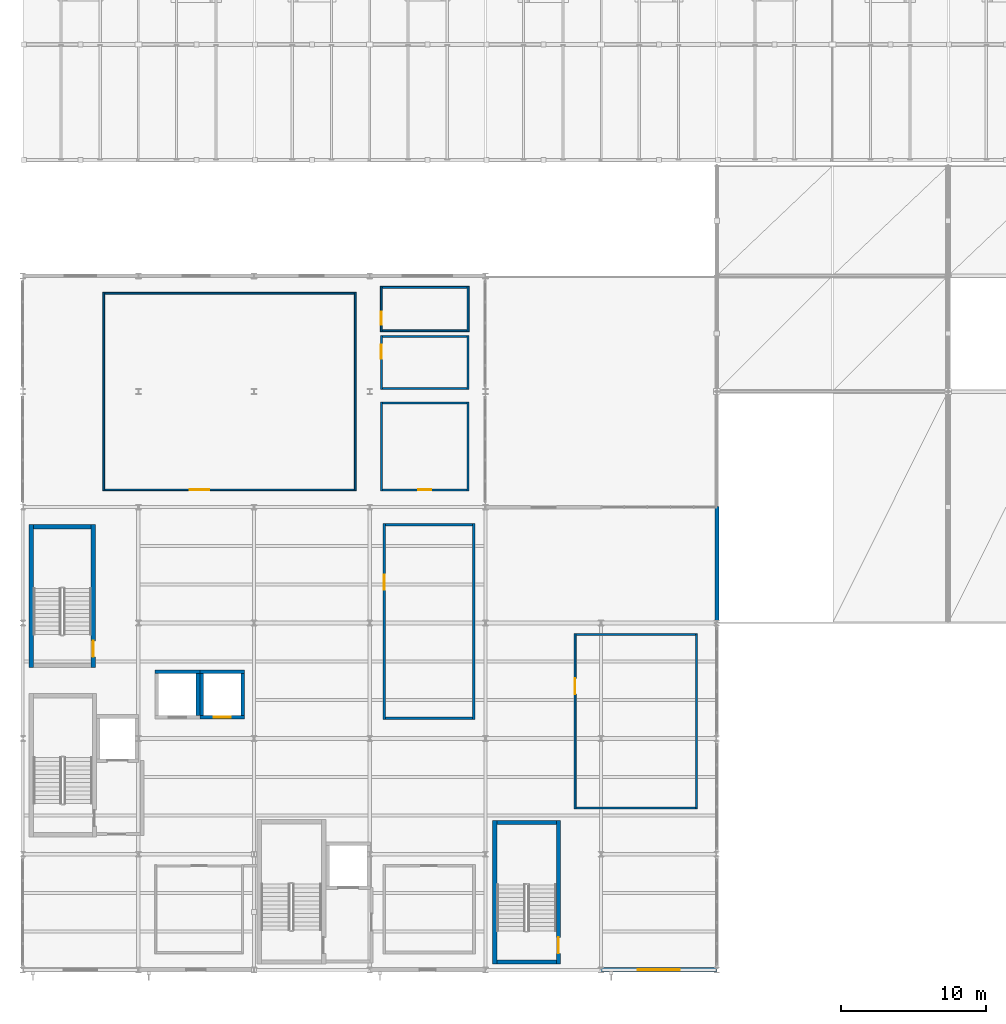
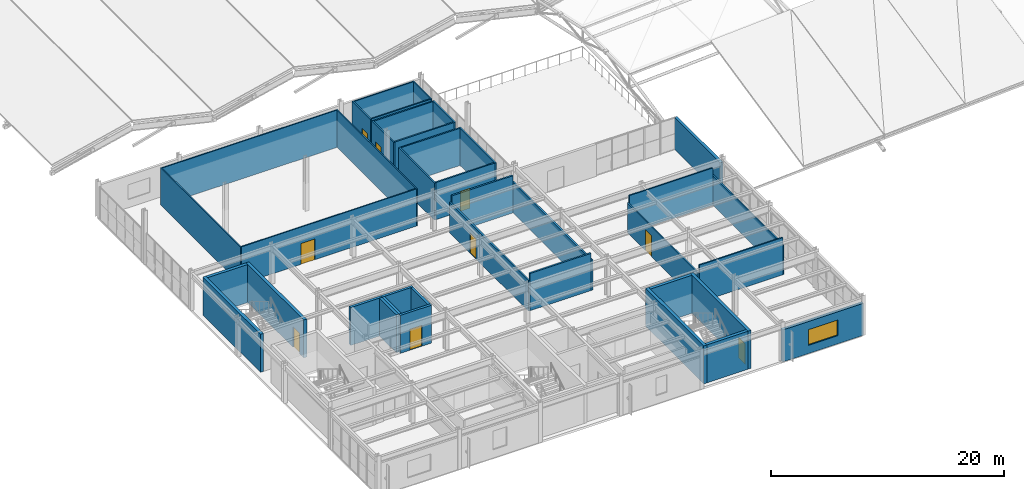
# One storey, part 45 of 67: 39 walls, 9 doors, 1 window, 10 openings.
"""IFC4 building model written with IfcOpenShell, lengths in metres."""

from ifc_helpers import new_model, si_unit, direction, frame, frame_2d, origin, place, context, subcontext, project, spatial, rectangle, extrude, material, layer, layer_set, type_object, element, fill, save


model = new_model("IFC4")

# Units and contexts
model_context = context("Model", 3, precision=1e-05, world=origin(), true_north=direction((0.0, 1.0)))
body_context = subcontext(model_context, "Body", "Model", "MODEL_VIEW")
ifc_project = project(units=[si_unit("LENGTHUNIT", "METRE"), si_unit("AREAUNIT", "SQUARE_METRE"), si_unit("VOLUMEUNIT", "CUBIC_METRE"), si_unit("PLANEANGLEUNIT", "RADIAN"), si_unit("MASSUNIT", "GRAM", prefix="KILO")], contexts=[model_context])

# Site, building, storey
site_placement = place(None, origin())
site = spatial("IfcSite", under=ifc_project, at=site_placement, CompositionType="ELEMENT")
building_placement = place(site_placement, origin())
building = spatial("IfcBuilding", under=site, at=building_placement, Name="Drelvath Fold Interchange", CompositionType="ELEMENT")
storey_placement = place(building_placement, frame((0.0, 0.0, 15.60009765625)))
storey = spatial("IfcBuildingStorey", under=building, at=storey_placement, Name="L03", CompositionType="ELEMENT", Elevation=15.60009765625)

# Wall, opening, door
ifc_material_1 = material(Name="Concrete f'c 45 MPa (6500 psi)", Category="concrete")
ifc_layer_1 = layer(ifc_material_1, 0.300048828125, Name="Concrete f'c 45 MPa (6500 psi)")
ifc_layer_set_1 = layer_set([ifc_layer_1], Name="Concrete f'c 45 MPa (6500 psi)")
wall_type_1 = type_object("IfcWallType", Name="WL-CR300", PredefinedType="SHEAR", material=ifc_layer_set_1)
wall_1_placement = place(storey_placement, frame((8.8798828125, 23.89990234375, 0.0), z_axis=(0.0, 0.0, 1.0), x_axis=(0.0, 1.0, 0.0)))
wall_1 = element("IfcWall", 1, at=wall_1_placement, inside=storey, type_object=wall_type_1, Name="ST-02 L03 east core wall", PredefinedType="SHEAR", context=body_context, shape_type="SweptSolid", body=[
    extrude(rectangle(XDim=9.900146484375, YDim=0.300048828125, at=frame_2d((4.9501953125, 0.0))), origin(), (0.0, 0.0, 1.0), 3.974853515625),
])
opening_1_placement = place(wall_1_placement, frame((0.75, 0.0, 0.0)))
opening_1 = element("IfcOpeningElement", 2, at=opening_1_placement, cuts=wall_1, Name="Opening D-L03-014", PredefinedType="OPENING", context=body_context, shape_type="SweptSolid", body=[
    extrude(rectangle(XDim=1.10009765625, YDim=2.14990234375, at=frame_2d((0.550048828125, 1.074951171875))), frame((0.0, 0.159912109375, 0.0), z_axis=(0.0, -1.0, 0.0), x_axis=(1.0, 0.0, 0.0)), (0.0, 0.0, 1.0), 0.320068359375),
])
ifc_material_2 = material(Name="Insulated Hollow Metal Door Assembly")
door_type_1 = type_object("IfcDoorType", Name="DR-ST1100", OperationType="NOTDEFINED", PredefinedType="DOOR", material=ifc_material_2)
door_1_placement = place(opening_1_placement, origin())
door_1 = element("IfcDoor", 3, at=door_1_placement, inside=storey, type_object=door_type_1, Name="ST-02 L03 stair fire door D-L03-014", OperationType="SINGLE_SWING_RIGHT", OverallHeight=2.14990234375, OverallWidth=1.10009765625, PredefinedType="DOOR", context=body_context, shape_type="SweptSolid", body=[
    extrude(rectangle(XDim=1.10009765625, YDim=2.14990234375, at=frame_2d((0.550048828125, 1.074951171875))), frame((0.0, 0.02490234375, 0.0), z_axis=(0.0, -1.0, 0.0), x_axis=(1.0, 0.0, 0.0)), (0.0, 0.0, 1.0), 0.050048828125),
])
fill(opening_1, door_1)

# Walls
wall_2_placement = place(storey_placement, frame((8.72998046875, 33.64990234375, 0.0), z_axis=(0.0, 0.0, 1.0), x_axis=(-1.0, 0.0, 0.0)))
element("IfcWall", 4, at=wall_2_placement, inside=storey, type_object=wall_type_1, Name="ST-02 L03 north core wall", PredefinedType="SHEAR", context=body_context, shape_type="SweptSolid", body=[
    extrude(rectangle(XDim=3.97998046875, YDim=0.300048828125, at=frame_2d((1.989990234375, 0.0))), origin(), (0.0, 0.0, 1.0), 3.974853515625),
])
wall_3_placement = place(storey_placement, frame((4.60009765625, 33.800048828125, 0.0), z_axis=(0.0, 0.0, 1.0), x_axis=(0.0, -1.0, 0.0)))
element("IfcWall", 5, at=wall_3_placement, inside=storey, type_object=wall_type_1, Name="ST-02 L03 west core wall", PredefinedType="SHEAR", context=body_context, shape_type="SweptSolid", body=[
    extrude(rectangle(XDim=9.900146484375, YDim=0.300048828125, at=frame_2d((4.9501953125, 0.0))), origin(), (0.0, 0.0, 1.0), 3.974853515625),
])
wall_4_placement = place(storey_placement, frame((36.800048828125, 3.550048828125, 0.0), z_axis=(0.0, 0.0, 1.0), x_axis=(1.0, 0.0, 0.0)))
element("IfcWall", 6, at=wall_4_placement, inside=storey, type_object=wall_type_1, Name="ST-04 L03 south core wall", PredefinedType="SHEAR", context=body_context, shape_type="SweptSolid", body=[
    extrude(rectangle(XDim=4.099853515625, YDim=0.300048828125, at=frame_2d((2.0498046875, 0.0))), origin(), (0.0, 0.0, 1.0), 3.974853515625),
])

# Wall, opening, door
wall_5_placement = place(storey_placement, frame((41.050048828125, 3.39990234375, 0.0), z_axis=(0.0, 0.0, 1.0), x_axis=(0.0, 1.0, 0.0)))
wall_5 = element("IfcWall", 7, at=wall_5_placement, inside=storey, type_object=wall_type_1, Name="ST-04 L03 east core wall", PredefinedType="SHEAR", context=body_context, shape_type="SweptSolid", body=[
    extrude(rectangle(XDim=9.9501953125, YDim=0.300048828125, at=frame_2d((4.97509765625, 0.0))), origin(), (0.0, 0.0, 1.0), 3.974853515625),
])
opening_2_placement = place(wall_5_placement, frame((0.75, 0.0, 0.0)))
opening_2 = element("IfcOpeningElement", 8, at=opening_2_placement, cuts=wall_5, Name="Opening D-L03-030", PredefinedType="OPENING", context=body_context, shape_type="SweptSolid", body=[
    extrude(rectangle(XDim=1.10009765625, YDim=2.14990234375, at=frame_2d((0.550048828125, 1.074951171875))), frame((0.0, 0.159912109375, 0.0), z_axis=(0.0, -1.0, 0.0), x_axis=(1.0, 0.0, 0.0)), (0.0, 0.0, 1.0), 0.320068359375),
])
door_2_placement = place(opening_2_placement, origin())
door_2 = element("IfcDoor", 9, at=door_2_placement, inside=storey, type_object=door_type_1, Name="ST-04 L03 stair fire door D-L03-030", OperationType="SINGLE_SWING_RIGHT", OverallHeight=2.14990234375, OverallWidth=1.10009765625, PredefinedType="DOOR", context=body_context, shape_type="SweptSolid", body=[
    extrude(rectangle(XDim=1.10009765625, YDim=2.14990234375, at=frame_2d((0.550048828125, 1.074951171875))), frame((0.0, 0.02490234375, 0.0), z_axis=(0.0, -1.0, 0.0), x_axis=(1.0, 0.0, 0.0)), (0.0, 0.0, 1.0), 0.050048828125),
])
fill(opening_2, door_2)

# Walls
wall_6_placement = place(storey_placement, frame((40.89990234375, 13.199951171875, 0.0), z_axis=(0.0, 0.0, 1.0), x_axis=(-1.0, 0.0, 0.0)))
element("IfcWall", 10, at=wall_6_placement, inside=storey, type_object=wall_type_1, Name="ST-04 L03 north core wall", PredefinedType="SHEAR", context=body_context, shape_type="SweptSolid", body=[
    extrude(rectangle(XDim=4.099853515625, YDim=0.300048828125, at=frame_2d((2.0498046875, 0.0))), origin(), (0.0, 0.0, 1.0), 3.974853515625),
])
wall_7_placement = place(storey_placement, frame((36.64990234375, 13.35009765625, 0.0), z_axis=(0.0, 0.0, 1.0), x_axis=(0.0, -1.0, 0.0)))
element("IfcWall", 11, at=wall_7_placement, inside=storey, type_object=wall_type_1, Name="ST-04 L03 west core wall", PredefinedType="SHEAR", context=body_context, shape_type="SweptSolid", body=[
    extrude(rectangle(XDim=9.9501953125, YDim=0.300048828125, at=frame_2d((4.97509765625, 0.0))), origin(), (0.0, 0.0, 1.0), 3.974853515625),
])
ifc_material_3 = material(Name="Perforated Anodized Aluminium Rainscreen", Category="aluminium")
ifc_layer_2 = layer(ifc_material_3, 0.27490234375, Name="Perforated Anodized Aluminium Rainscreen")
ifc_layer_set_2 = layer_set([ifc_layer_2], Name="Perforated Anodized Aluminium Rainscreen")
wall_type_2 = type_object("IfcWallType", Name="WL-EXT275", PredefinedType="SOLIDWALL", material=ifc_layer_set_2)
wall_8_placement = place(storey_placement, frame((52.0, 27.181884765625, 0.0), z_axis=(0.0, 0.0, 1.0), x_axis=(0.0, 1.0, 0.0)))
element("IfcWall", 12, at=wall_8_placement, inside=storey, type_object=wall_type_2, Name="L03 exterior facade wall 72", PredefinedType="SOLIDWALL", context=body_context, shape_type="SweptSolid", body=[
    extrude(rectangle(XDim=7.863037109375, YDim=0.27490234375, at=frame_2d((3.931640625, 0.0))), origin(), (0.0, 0.0, 1.0), 3.349853515625),
])

# Wall, opening, window
ifc_material_4 = material(Name="Precast concrete f'c 40 MPa (6000 psi)", Category="concrete")
ifc_layer_3 = layer(ifc_material_4, 0.31494140625, Name="Precast concrete f'c 40 MPa (6000 psi)")
ifc_layer_set_3 = layer_set([ifc_layer_3], Name="Precast concrete f'c 40 MPa (6000 psi)")
wall_type_3 = type_object("IfcWallType", Name="WL-EXT315", PredefinedType="SOLIDWALL", material=ifc_layer_set_3)
wall_9_placement = place(storey_placement, frame((44.010009765625, 3.0, 0.0), z_axis=(0.0, 0.0, 1.0), x_axis=(1.0, 0.0, 0.0)))
wall_9 = element("IfcWall", 13, at=wall_9_placement, inside=storey, type_object=wall_type_3, Name="L03 exterior facade wall 71", PredefinedType="SOLIDWALL", context=body_context, shape_type="SweptSolid", body=[
    extrude(rectangle(XDim=7.97998046875, YDim=0.31494140625, at=frame_2d((3.989990234375, 0.0))), origin(), (0.0, 0.0, 1.0), 3.349853515625),
])
opening_3_placement = place(wall_9_placement, frame((2.5400390625, 0.0, 0.85009765625)))
opening_3 = element("IfcOpeningElement", 14, at=opening_3_placement, cuts=wall_9, Name="Opening W-L03-065", PredefinedType="OPENING", context=body_context, shape_type="SweptSolid", body=[
    extrude(rectangle(XDim=2.89990234375, YDim=1.64990234375, at=frame_2d((1.449951171875, 0.824951171875))), frame((0.0, 0.16748046875, 0.0), z_axis=(0.0, -1.0, 0.0), x_axis=(1.0, 0.0, 0.0)), (0.0, 0.0, 1.0), 0.3349609375),
])
ifc_material_5 = material(Name="Low-Iron Insulated Laminated Glass", Category="glass")
window_type = type_object("IfcWindowType", Name="WN-290x165", PartitioningType="TRIPLE_PANEL_VERTICAL", PredefinedType="WINDOW", material=ifc_material_5)
window_placement = place(opening_3_placement, origin())
window = element("IfcWindow", 15, at=window_placement, inside=storey, type_object=window_type, Name="Facade window W-L03-065", OverallHeight=1.64990234375, OverallWidth=2.89990234375, PartitioningType="SINGLE_PANEL", PredefinedType="WINDOW", context=body_context, shape_type="SweptSolid", body=[
    extrude(rectangle(XDim=2.89990234375, YDim=1.64990234375, at=frame_2d((1.449951171875, 0.824951171875))), frame((0.0, 0.030029296875, 0.0), z_axis=(0.0, -1.0, 0.0), x_axis=(1.0, 0.0, 0.0)), (0.0, 0.0, 1.0), 0.06005859375),
])
fill(opening_3, window)

# Wall, opening, door
ifc_material_6 = material(Name="Acoustic Gypsum Board Partition Assembly")
ifc_layer_4 = layer(ifc_material_6, 0.114990234375, Name="Acoustic Gypsum Board Partition Assembly")
ifc_layer_set_4 = layer_set([ifc_layer_4], Name="Acoustic Gypsum Board Partition Assembly")
wall_type_4 = type_object("IfcWallType", Name="WL-PT115", PredefinedType="PARTITIONING", material=ifc_layer_set_4)
wall_10_placement = place(storey_placement, frame((9.656982421875, 36.199951171875, 0.0), z_axis=(0.0, 0.0, 1.0), x_axis=(1.0, 0.0, 0.0)))
wall_10 = element("IfcWall", 16, at=wall_10_placement, inside=storey, type_object=wall_type_4, Name="Transit Planning Studio North S partition", PredefinedType="PARTITIONING", context=body_context, shape_type="SweptSolid", body=[
    extrude(rectangle(XDim=17.284912109375, YDim=0.114990234375, at=frame_2d((8.642578125, 0.0))), origin(), (0.0, 0.0, 1.0), 3.89990234375),
])
opening_4_placement = place(wall_10_placement, frame((5.887939453125, 0.0, 0.0)))
opening_4 = element("IfcOpeningElement", 17, at=opening_4_placement, cuts=wall_10, Name="Opening D-L03-128", PredefinedType="OPENING", context=body_context, shape_type="SweptSolid", body=[
    extrude(rectangle(XDim=1.360107421875, YDim=2.179931640625, at=frame_2d((0.68017578125, 1.08984375))), frame((0.0, 0.0673828125, 0.0), z_axis=(0.0, -1.0, 0.0), x_axis=(1.0, 0.0, 0.0)), (0.0, 0.0, 1.0), 0.135009765625),
])
ifc_material_7 = material(Name="Anodized Aluminium Glazed Door Assembly", Category="aluminium")
door_type_2 = type_object("IfcDoorType", Name="DR-NR136", OperationType="DOUBLE_DOOR_SINGLE_SWING", PredefinedType="DOOR", material=ifc_material_7)
door_3_placement = place(opening_4_placement, origin())
door_3 = element("IfcDoor", 18, at=door_3_placement, inside=storey, type_object=door_type_2, Name="Transit Planning Studio North door D-L03-128", OperationType="DOUBLE_DOOR_SINGLE_SWING", OverallHeight=2.179931640625, OverallWidth=1.360107421875, PredefinedType="DOOR", context=body_context, shape_type="SweptSolid", body=[
    extrude(rectangle(XDim=1.360107421875, YDim=2.179931640625, at=frame_2d((0.68017578125, 1.08984375))), frame((0.0, 0.02490234375, 0.0), z_axis=(0.0, -1.0, 0.0), x_axis=(1.0, 0.0, 0.0)), (0.0, 0.0, 1.0), 0.050048828125),
])
fill(opening_4, door_3)

# Walls
wall_11_placement = place(storey_placement, frame((27.0, 36.14306640625, 0.0), z_axis=(0.0, 0.0, 1.0), x_axis=(0.0, 1.0, 0.0)))
element("IfcWall", 19, at=wall_11_placement, inside=storey, type_object=wall_type_4, Name="Transit Planning Studio North E partition", PredefinedType="PARTITIONING", context=body_context, shape_type="SweptSolid", body=[
    extrude(rectangle(XDim=13.7138671875, YDim=0.114990234375, at=frame_2d((6.85693359375, 0.0))), origin(), (0.0, 0.0, 1.0), 3.89990234375),
])
wall_12_placement = place(storey_placement, frame((26.94189453125, 49.800048828125, 0.0), z_axis=(0.0, 0.0, 1.0), x_axis=(-1.0, 0.0, 0.0)))
element("IfcWall", 20, at=wall_12_placement, inside=storey, type_object=wall_type_4, Name="Transit Planning Studio North N partition", PredefinedType="PARTITIONING", context=body_context, shape_type="SweptSolid", body=[
    extrude(rectangle(XDim=17.284912109375, YDim=0.114990234375, at=frame_2d((8.642578125, 0.0))), origin(), (0.0, 0.0, 1.0), 3.89990234375),
])
wall_13_placement = place(storey_placement, frame((9.60009765625, 49.85693359375, 0.0), z_axis=(0.0, 0.0, 1.0), x_axis=(0.0, -1.0, 0.0)))
element("IfcWall", 21, at=wall_13_placement, inside=storey, type_object=wall_type_4, Name="Transit Planning Studio North W partition", PredefinedType="PARTITIONING", context=body_context, shape_type="SweptSolid", body=[
    extrude(rectangle(XDim=13.7138671875, YDim=0.114990234375, at=frame_2d((6.85693359375, 0.0))), origin(), (0.0, 0.0, 1.0), 3.89990234375),
])
ifc_layer_5 = layer(ifc_material_6, 0.1298828125, Name="Acoustic Gypsum Board Partition Assembly")
ifc_layer_set_5 = layer_set([ifc_layer_5], Name="Acoustic Gypsum Board Partition Assembly")
wall_type_5 = type_object("IfcWallType", Name="WL-PT130", PredefinedType="PARTITIONING", material=ifc_layer_set_5)
wall_14_placement = place(storey_placement, frame((42.264892578125, 14.199951171875, 0.0), z_axis=(0.0, 0.0, 1.0), x_axis=(1.0, 0.0, 0.0)))
element("IfcWall", 22, at=wall_14_placement, inside=storey, type_object=wall_type_5, Name="Fare-System Hardware Testing Lab S partition", PredefinedType="PARTITIONING", context=body_context, shape_type="SweptSolid", body=[
    extrude(rectangle(XDim=8.27001953125, YDim=0.1298828125, at=frame_2d((4.135009765625, 0.0))), origin(), (0.0, 0.0, 1.0), 3.89990234375),
])
wall_15_placement = place(storey_placement, frame((50.60009765625, 14.135009765625, 0.0), z_axis=(0.0, 0.0, 1.0), x_axis=(0.0, 1.0, 0.0)))
element("IfcWall", 23, at=wall_15_placement, inside=storey, type_object=wall_type_5, Name="Fare-System Hardware Testing Lab E partition", PredefinedType="PARTITIONING", context=body_context, shape_type="SweptSolid", body=[
    extrude(rectangle(XDim=12.1298828125, YDim=0.1298828125, at=frame_2d((6.06494140625, 0.0))), origin(), (0.0, 0.0, 1.0), 3.114990234375),
])
wall_16_placement = place(storey_placement, frame((50.534912109375, 26.199951171875, 0.0), z_axis=(0.0, 0.0, 1.0), x_axis=(-1.0, 0.0, 0.0)))
element("IfcWall", 24, at=wall_16_placement, inside=storey, type_object=wall_type_5, Name="Fare-System Hardware Testing Lab N partition", PredefinedType="PARTITIONING", context=body_context, shape_type="SweptSolid", body=[
    extrude(rectangle(XDim=8.27001953125, YDim=0.1298828125, at=frame_2d((4.135009765625, 0.0))), origin(), (0.0, 0.0, 1.0), 3.89990234375),
])

# Wall, opening, door
wall_17_placement = place(storey_placement, frame((42.199951171875, 26.264892578125, 0.0), z_axis=(0.0, 0.0, 1.0), x_axis=(0.0, -1.0, 0.0)))
wall_17 = element("IfcWall", 25, at=wall_17_placement, inside=storey, type_object=wall_type_5, Name="Fare-System Hardware Testing Lab W partition", PredefinedType="PARTITIONING", context=body_context, shape_type="SweptSolid", body=[
    extrude(rectangle(XDim=12.1298828125, YDim=0.1298828125, at=frame_2d((6.06494140625, 0.0))), origin(), (0.0, 0.0, 1.0), 3.114990234375),
])
opening_5_placement = place(wall_17_placement, frame((3.089111328125, 0.0, 0.0)))
opening_5 = element("IfcOpeningElement", 26, at=opening_5_placement, cuts=wall_17, Name="Opening D-L03-126", PredefinedType="OPENING", context=body_context, shape_type="SweptSolid", body=[
    extrude(rectangle(XDim=1.10009765625, YDim=2.179931640625, at=frame_2d((0.550048828125, 1.08984375))), frame((0.0, 0.074951171875, 0.0), z_axis=(0.0, -1.0, 0.0), x_axis=(1.0, 0.0, 0.0)), (0.0, 0.0, 1.0), 0.14990234375),
])
door_type_3 = type_object("IfcDoorType", Name="DR-NR110", OperationType="NOTDEFINED", PredefinedType="DOOR", material=ifc_material_7)
door_4_placement = place(opening_5_placement, origin())
door_4 = element("IfcDoor", 27, at=door_4_placement, inside=storey, type_object=door_type_3, Name="Fare-System Hardware Testing Lab door D-L03-126", OperationType="SINGLE_SWING_LEFT", OverallHeight=2.179931640625, OverallWidth=1.10009765625, PredefinedType="DOOR", context=body_context, shape_type="SweptSolid", body=[
    extrude(rectangle(XDim=1.10009765625, YDim=2.179931640625, at=frame_2d((0.550048828125, 1.08984375))), frame((0.0, 0.02490234375, 0.0), z_axis=(0.0, -1.0, 0.0), x_axis=(1.0, 0.0, 0.0)), (0.0, 0.0, 1.0), 0.050048828125),
])
fill(opening_5, door_4)

# Walls
wall_18_placement = place(storey_placement, frame((28.864990234375, 47.199951171875, 0.0), z_axis=(0.0, 0.0, 1.0), x_axis=(1.0, 0.0, 0.0)))
element("IfcWall", 28, at=wall_18_placement, inside=storey, type_object=wall_type_5, Name="Level L03 Custodial Supply Closet S partition", PredefinedType="PARTITIONING", context=body_context, shape_type="SweptSolid", body=[
    extrude(rectangle(XDim=5.8701171875, YDim=0.1298828125, at=frame_2d((2.93505859375, 0.0))), origin(), (0.0, 0.0, 1.0), 3.89990234375),
])
wall_19_placement = place(storey_placement, frame((34.800048828125, 47.135009765625, 0.0), z_axis=(0.0, 0.0, 1.0), x_axis=(0.0, 1.0, 0.0)))
element("IfcWall", 29, at=wall_19_placement, inside=storey, type_object=wall_type_5, Name="Level L03 Custodial Supply Closet E partition", PredefinedType="PARTITIONING", context=body_context, shape_type="SweptSolid", body=[
    extrude(rectangle(XDim=3.1298828125, YDim=0.1298828125, at=frame_2d((1.56494140625, 0.0))), origin(), (0.0, 0.0, 1.0), 3.89990234375),
])
wall_20_placement = place(storey_placement, frame((34.735107421875, 50.199951171875, 0.0), z_axis=(0.0, 0.0, 1.0), x_axis=(-1.0, 0.0, 0.0)))
element("IfcWall", 30, at=wall_20_placement, inside=storey, type_object=wall_type_5, Name="Level L03 Custodial Supply Closet N partition", PredefinedType="PARTITIONING", context=body_context, shape_type="SweptSolid", body=[
    extrude(rectangle(XDim=5.8701171875, YDim=0.1298828125, at=frame_2d((2.93505859375, 0.0))), origin(), (0.0, 0.0, 1.0), 3.89990234375),
])

# Wall, opening, door
wall_21_placement = place(storey_placement, frame((28.800048828125, 50.264892578125, 0.0), z_axis=(0.0, 0.0, 1.0), x_axis=(0.0, -1.0, 0.0)))
wall_21 = element("IfcWall", 31, at=wall_21_placement, inside=storey, type_object=wall_type_5, Name="Level L03 Custodial Supply Closet W partition", PredefinedType="PARTITIONING", context=body_context, shape_type="SweptSolid", body=[
    extrude(rectangle(XDim=3.1298828125, YDim=0.1298828125, at=frame_2d((1.56494140625, 0.0))), origin(), (0.0, 0.0, 1.0), 3.89990234375),
])
opening_6_placement = place(wall_21_placement, frame((1.73095703125, 0.0, 0.0)))
opening_6 = element("IfcOpeningElement", 32, at=opening_6_placement, cuts=wall_21, Name="Opening D-L03-131", PredefinedType="OPENING", context=body_context, shape_type="SweptSolid", body=[
    extrude(rectangle(XDim=0.919921875, YDim=2.10009765625, at=frame_2d((0.4599609375, 1.050048828125))), frame((0.0, 0.074951171875, 0.0), z_axis=(0.0, -1.0, 0.0), x_axis=(1.0, 0.0, 0.0)), (0.0, 0.0, 1.0), 0.14990234375),
])
door_type_4 = type_object("IfcDoorType", Name="DR-NR092", OperationType="NOTDEFINED", PredefinedType="DOOR", material=ifc_material_7)
door_5_placement = place(opening_6_placement, origin())
door_5 = element("IfcDoor", 33, at=door_5_placement, inside=storey, type_object=door_type_4, Name="Level L03 Custodial Supply Closet door D-L03-131", OperationType="SINGLE_SWING_LEFT", OverallHeight=2.10009765625, OverallWidth=0.919921875, PredefinedType="DOOR", context=body_context, shape_type="SweptSolid", body=[
    extrude(rectangle(XDim=0.919921875, YDim=2.10009765625, at=frame_2d((0.4599609375, 1.050048828125))), frame((0.0, 0.02490234375, 0.0), z_axis=(0.0, -1.0, 0.0), x_axis=(1.0, 0.0, 0.0)), (0.0, 0.0, 1.0), 0.050048828125),
])
fill(opening_6, door_5)

ifc_layer_6 = layer(ifc_material_6, 0.14501953125, Name="Acoustic Gypsum Board Partition Assembly")
ifc_layer_set_6 = layer_set([ifc_layer_6], Name="Acoustic Gypsum Board Partition Assembly")
wall_type_6 = type_object("IfcWallType", Name="WL-PT145", PredefinedType="PARTITIONING", material=ifc_layer_set_6)
wall_22_placement = place(storey_placement, frame((28.873046875, 36.199951171875, 0.0), z_axis=(0.0, 0.0, 1.0), x_axis=(1.0, 0.0, 0.0)))
wall_22 = element("IfcWall", 34, at=wall_22_placement, inside=storey, type_object=wall_type_6, Name="Level L03 Staff Restroom S partition", PredefinedType="PARTITIONING", context=body_context, shape_type="SweptSolid", body=[
    extrude(rectangle(XDim=5.85400390625, YDim=0.14501953125, at=frame_2d((2.927001953125, 0.0))), origin(), (0.0, 0.0, 1.0), 3.89990234375),
])
opening_7_placement = place(wall_22_placement, frame((2.467041015625, 0.0, 0.0)))
opening_7 = element("IfcOpeningElement", 35, at=opening_7_placement, cuts=wall_22, Name="Opening D-L03-129", PredefinedType="OPENING", context=body_context, shape_type="SweptSolid", body=[
    extrude(rectangle(XDim=0.919921875, YDim=2.10009765625, at=frame_2d((0.4599609375, 1.050048828125))), frame((0.0, 0.08251953125, 0.0), z_axis=(0.0, -1.0, 0.0), x_axis=(1.0, 0.0, 0.0)), (0.0, 0.0, 1.0), 0.1650390625),
])
door_6_placement = place(opening_7_placement, origin())
door_6 = element("IfcDoor", 36, at=door_6_placement, inside=storey, type_object=door_type_4, Name="Level L03 Staff Restroom door D-L03-129", OperationType="SINGLE_SWING_LEFT", OverallHeight=2.10009765625, OverallWidth=0.919921875, PredefinedType="DOOR", context=body_context, shape_type="SweptSolid", body=[
    extrude(rectangle(XDim=0.919921875, YDim=2.10009765625, at=frame_2d((0.4599609375, 1.050048828125))), frame((0.0, 0.02490234375, 0.0), z_axis=(0.0, -1.0, 0.0), x_axis=(1.0, 0.0, 0.0)), (0.0, 0.0, 1.0), 0.050048828125),
])
fill(opening_7, door_6)

# Walls
wall_23_placement = place(storey_placement, frame((34.800048828125, 36.1279296875, 0.0), z_axis=(0.0, 0.0, 1.0), x_axis=(0.0, 1.0, 0.0)))
element("IfcWall", 37, at=wall_23_placement, inside=storey, type_object=wall_type_6, Name="Level L03 Staff Restroom E partition", PredefinedType="PARTITIONING", context=body_context, shape_type="SweptSolid", body=[
    extrude(rectangle(XDim=6.14501953125, YDim=0.14501953125, at=frame_2d((3.072509765625, 0.0))), origin(), (0.0, 0.0, 1.0), 3.89990234375),
])
wall_24_placement = place(storey_placement, frame((34.72705078125, 42.199951171875, 0.0), z_axis=(0.0, 0.0, 1.0), x_axis=(-1.0, 0.0, 0.0)))
element("IfcWall", 38, at=wall_24_placement, inside=storey, type_object=wall_type_6, Name="Level L03 Staff Restroom N partition", PredefinedType="PARTITIONING", context=body_context, shape_type="SweptSolid", body=[
    extrude(rectangle(XDim=5.85400390625, YDim=0.14501953125, at=frame_2d((2.927001953125, 0.0))), origin(), (0.0, 0.0, 1.0), 3.89990234375),
])
wall_25_placement = place(storey_placement, frame((28.800048828125, 42.27294921875, 0.0), z_axis=(0.0, 0.0, 1.0), x_axis=(0.0, -1.0, 0.0)))
element("IfcWall", 39, at=wall_25_placement, inside=storey, type_object=wall_type_6, Name="Level L03 Staff Restroom W partition", PredefinedType="PARTITIONING", context=body_context, shape_type="SweptSolid", body=[
    extrude(rectangle(XDim=6.14501953125, YDim=0.14501953125, at=frame_2d((3.072509765625, 0.0))), origin(), (0.0, 0.0, 1.0), 3.89990234375),
])
wall_26_placement = place(storey_placement, frame((28.873046875, 43.199951171875, 0.0), z_axis=(0.0, 0.0, 1.0), x_axis=(1.0, 0.0, 0.0)))
element("IfcWall", 40, at=wall_26_placement, inside=storey, type_object=wall_type_6, Name="Level L03 Accessible WC S partition", PredefinedType="PARTITIONING", context=body_context, shape_type="SweptSolid", body=[
    extrude(rectangle(XDim=5.85400390625, YDim=0.14501953125, at=frame_2d((2.927001953125, 0.0))), origin(), (0.0, 0.0, 1.0), 3.89990234375),
])
wall_27_placement = place(storey_placement, frame((34.800048828125, 43.1279296875, 0.0), z_axis=(0.0, 0.0, 1.0), x_axis=(0.0, 1.0, 0.0)))
element("IfcWall", 41, at=wall_27_placement, inside=storey, type_object=wall_type_6, Name="Level L03 Accessible WC E partition", PredefinedType="PARTITIONING", context=body_context, shape_type="SweptSolid", body=[
    extrude(rectangle(XDim=3.744140625, YDim=0.14501953125, at=frame_2d((1.8720703125, 0.0))), origin(), (0.0, 0.0, 1.0), 3.89990234375),
])
wall_28_placement = place(storey_placement, frame((34.72705078125, 46.800048828125, 0.0), z_axis=(0.0, 0.0, 1.0), x_axis=(-1.0, 0.0, 0.0)))
element("IfcWall", 42, at=wall_28_placement, inside=storey, type_object=wall_type_6, Name="Level L03 Accessible WC N partition", PredefinedType="PARTITIONING", context=body_context, shape_type="SweptSolid", body=[
    extrude(rectangle(XDim=5.85400390625, YDim=0.14501953125, at=frame_2d((2.927001953125, 0.0))), origin(), (0.0, 0.0, 1.0), 3.89990234375),
])

# Wall, opening, door
wall_29_placement = place(storey_placement, frame((28.800048828125, 46.8720703125, 0.0), z_axis=(0.0, 0.0, 1.0), x_axis=(0.0, -1.0, 0.0)))
wall_29 = element("IfcWall", 43, at=wall_29_placement, inside=storey, type_object=wall_type_6, Name="Level L03 Accessible WC W partition", PredefinedType="PARTITIONING", context=body_context, shape_type="SweptSolid", body=[
    extrude(rectangle(XDim=3.744140625, YDim=0.14501953125, at=frame_2d((1.8720703125, 0.0))), origin(), (0.0, 0.0, 1.0), 3.89990234375),
])
opening_8_placement = place(wall_29_placement, frame((0.64306640625, 0.0, 0.0)))
opening_8 = element("IfcOpeningElement", 44, at=opening_8_placement, cuts=wall_29, Name="Opening D-L03-130", PredefinedType="OPENING", context=body_context, shape_type="SweptSolid", body=[
    extrude(rectangle(XDim=0.9599609375, YDim=2.1201171875, at=frame_2d((0.47998046875, 1.06005859375))), frame((0.0, 0.08251953125, 0.0), z_axis=(0.0, -1.0, 0.0), x_axis=(1.0, 0.0, 0.0)), (0.0, 0.0, 1.0), 0.1650390625),
])
door_type_5 = type_object("IfcDoorType", Name="DR-NR096", OperationType="NOTDEFINED", PredefinedType="DOOR", material=ifc_material_7)
door_7_placement = place(opening_8_placement, frame((0.9599609375, 0.0, 0.0), z_axis=(0.0, 0.0, 1.0), x_axis=(-1.0, 0.0, 0.0)))
door_7 = element("IfcDoor", 45, at=door_7_placement, inside=storey, type_object=door_type_5, Name="Level L03 Accessible WC door D-L03-130", OperationType="SINGLE_SWING_RIGHT", OverallHeight=2.1201171875, OverallWidth=0.9599609375, PredefinedType="DOOR", context=body_context, shape_type="SweptSolid", body=[
    extrude(rectangle(XDim=0.9599609375, YDim=2.1201171875, at=frame_2d((0.47998046875, 1.06005859375))), frame((0.0, 0.02490234375, 0.0), z_axis=(0.0, -1.0, 0.0), x_axis=(1.0, 0.0, 0.0)), (0.0, 0.0, 1.0), 0.050048828125),
])
fill(opening_8, door_7)

# Walls
ifc_layer_7 = layer(ifc_material_6, 0.169921875, Name="Acoustic Gypsum Board Partition Assembly")
ifc_layer_set_7 = layer_set([ifc_layer_7], Name="Acoustic Gypsum Board Partition Assembly")
wall_type_7 = type_object("IfcWallType", Name="WL-PT170", PredefinedType="PARTITIONING", material=ifc_layer_set_7)
wall_30_placement = place(storey_placement, frame((29.0849609375, 20.39990234375, 0.0), z_axis=(0.0, 0.0, 1.0), x_axis=(1.0, 0.0, 0.0)))
element("IfcWall", 46, at=wall_30_placement, inside=storey, type_object=wall_type_7, Name="Inter-Agency Coordination Boardroom S partition", PredefinedType="PARTITIONING", context=body_context, shape_type="SweptSolid", body=[
    extrude(rectangle(XDim=6.030029296875, YDim=0.169921875, at=frame_2d((3.01513671875, 0.0))), origin(), (0.0, 0.0, 1.0), 3.89990234375),
])
wall_31_placement = place(storey_placement, frame((35.199951171875, 20.31494140625, 0.0), z_axis=(0.0, 0.0, 1.0), x_axis=(0.0, 1.0, 0.0)))
element("IfcWall", 47, at=wall_31_placement, inside=storey, type_object=wall_type_7, Name="Inter-Agency Coordination Boardroom E partition", PredefinedType="PARTITIONING", context=body_context, shape_type="SweptSolid", body=[
    extrude(rectangle(XDim=13.570068359375, YDim=0.169921875, at=frame_2d((6.78515625, 0.0))), origin(), (0.0, 0.0, 1.0), 3.19580078125),
])
wall_32_placement = place(storey_placement, frame((35.114990234375, 33.800048828125, 0.0), z_axis=(0.0, 0.0, 1.0), x_axis=(-1.0, 0.0, 0.0)))
element("IfcWall", 48, at=wall_32_placement, inside=storey, type_object=wall_type_7, Name="Inter-Agency Coordination Boardroom N partition", PredefinedType="PARTITIONING", context=body_context, shape_type="SweptSolid", body=[
    extrude(rectangle(XDim=6.030029296875, YDim=0.169921875, at=frame_2d((3.01513671875, 0.0))), origin(), (0.0, 0.0, 1.0), 3.89990234375),
])

# Wall, opening, door
wall_33_placement = place(storey_placement, frame((29.0, 33.885009765625, 0.0), z_axis=(0.0, 0.0, 1.0), x_axis=(0.0, -1.0, 0.0)))
wall_33 = element("IfcWall", 49, at=wall_33_placement, inside=storey, type_object=wall_type_7, Name="Inter-Agency Coordination Boardroom W partition", PredefinedType="PARTITIONING", context=body_context, shape_type="SweptSolid", body=[
    extrude(rectangle(XDim=13.570068359375, YDim=0.169921875, at=frame_2d((6.78515625, 0.0))), origin(), (0.0, 0.0, 1.0), 3.19580078125),
])
opening_9_placement = place(wall_33_placement, frame((3.551025390625, 0.0, 0.0)))
opening_9 = element("IfcOpeningElement", 50, at=opening_9_placement, cuts=wall_33, Name="Opening D-L03-127", PredefinedType="OPENING", context=body_context, shape_type="SweptSolid", body=[
    extrude(rectangle(XDim=1.0400390625, YDim=2.159912109375, at=frame_2d((0.52001953125, 1.080078125))), frame((0.0, 0.094970703125, 0.0), z_axis=(0.0, -1.0, 0.0), x_axis=(1.0, 0.0, 0.0)), (0.0, 0.0, 1.0), 0.18994140625),
])
door_type_6 = type_object("IfcDoorType", Name="DR-NR104", OperationType="NOTDEFINED", PredefinedType="DOOR", material=ifc_material_7)
door_8_placement = place(opening_9_placement, origin())
door_8 = element("IfcDoor", 51, at=door_8_placement, inside=storey, type_object=door_type_6, Name="Inter-Agency Coordination Boardroom door D-L03-127", OperationType="SINGLE_SWING_RIGHT", OverallHeight=2.159912109375, OverallWidth=1.0400390625, PredefinedType="DOOR", context=body_context, shape_type="SweptSolid", body=[
    extrude(rectangle(XDim=1.0400390625, YDim=2.159912109375, at=frame_2d((0.52001953125, 1.080078125))), frame((0.0, 0.02490234375, 0.0), z_axis=(0.0, -1.0, 0.0), x_axis=(1.0, 0.0, 0.0)), (0.0, 0.0, 1.0), 0.050048828125),
])
fill(opening_9, door_8)

# Walls
ifc_layer_8 = layer(ifc_material_1, 0.25, Name="Concrete f'c 45 MPa (6500 psi)")
ifc_layer_set_8 = layer_set([ifc_layer_8], Name="Concrete f'c 45 MPa (6500 psi)")
wall_type_8 = type_object("IfcWallType", Name="WL-SH250", PredefinedType="SOLIDWALL", material=ifc_layer_set_8)
wall_34_placement = place(storey_placement, frame((16.25, 23.625, 0.0), z_axis=(0.0, 0.0, 1.0), x_axis=(-1.0, 0.0, 0.0)))
element("IfcWall", 52, at=wall_34_placement, inside=storey, type_object=wall_type_8, Name="LF-01 L03 north shaft wall", PredefinedType="SOLIDWALL", context=body_context, shape_type="SweptSolid", body=[
    extrude(rectangle(XDim=3.10009765625, YDim=0.25, at=frame_2d((1.550048828125, 0.0))), origin(), (0.0, 0.0, 1.0), 3.974853515625),
])
wall_35_placement = place(storey_placement, frame((16.125, 20.60009765625, 0.0), z_axis=(0.0, 0.0, 1.0), x_axis=(0.0, 1.0, 0.0)))
element("IfcWall", 53, at=wall_35_placement, inside=storey, type_object=wall_type_8, Name="LF-01 L03 east shaft wall", PredefinedType="SOLIDWALL", context=body_context, shape_type="SweptSolid", body=[
    extrude(rectangle(XDim=2.89990234375, YDim=0.25, at=frame_2d((1.449951171875, 0.0))), origin(), (0.0, 0.0, 1.0), 3.974853515625),
])

# Wall, opening, door
wall_36_placement = place(storey_placement, frame((16.25, 20.47509765625, 0.0), z_axis=(0.0, 0.0, 1.0), x_axis=(1.0, 0.0, 0.0)))
wall_36 = element("IfcWall", 54, at=wall_36_placement, inside=storey, type_object=wall_type_8, Name="LF-02 L03 south shaft wall", PredefinedType="SOLIDWALL", context=body_context, shape_type="SweptSolid", body=[
    extrude(rectangle(XDim=3.10009765625, YDim=0.25, at=frame_2d((1.550048828125, 0.0))), origin(), (0.0, 0.0, 1.0), 3.974853515625),
])
opening_10_placement = place(wall_36_placement, frame((0.949951171875, 0.0, 0.0)))
opening_10 = element("IfcOpeningElement", 55, at=opening_10_placement, cuts=wall_36, Name="Opening LD-LF-02-L03", PredefinedType="OPENING", context=body_context, shape_type="SweptSolid", body=[
    extrude(rectangle(XDim=1.199951171875, YDim=2.199951171875, at=frame_2d((0.60009765625, 1.10009765625))), frame((0.0, 0.135009765625, 0.0), z_axis=(0.0, -1.0, 0.0), x_axis=(1.0, 0.0, 0.0)), (0.0, 0.0, 1.0), 0.27001953125),
])
door_type_7 = type_object("IfcDoorType", Name="DR-LD1200", OperationType="DOUBLE_DOOR_SLIDING", PredefinedType="DOOR", material=ifc_material_2)
door_9_placement = place(opening_10_placement, frame((1.199951171875, 0.0, 0.0), z_axis=(0.0, 0.0, 1.0), x_axis=(-1.0, 0.0, 0.0)))
door_9 = element("IfcDoor", 56, at=door_9_placement, inside=storey, type_object=door_type_7, Name="LF-02 L03 lift landing sliding door LD-LF-02-L03", OperationType="DOUBLE_DOOR_SLIDING", OverallHeight=2.199951171875, OverallWidth=1.199951171875, PredefinedType="DOOR", context=body_context, shape_type="SweptSolid", body=[
    extrude(rectangle(XDim=1.199951171875, YDim=2.199951171875, at=frame_2d((0.60009765625, 1.10009765625))), frame((0.0, 0.02490234375, 0.0), z_axis=(0.0, -1.0, 0.0), x_axis=(1.0, 0.0, 0.0)), (0.0, 0.0, 1.0), 0.050048828125),
])
fill(opening_10, door_9)

# Walls
wall_37_placement = place(storey_placement, frame((19.35009765625, 23.625, 0.0), z_axis=(0.0, 0.0, 1.0), x_axis=(-1.0, 0.0, 0.0)))
element("IfcWall", 57, at=wall_37_placement, inside=storey, type_object=wall_type_8, Name="LF-02 L03 north shaft wall", PredefinedType="SOLIDWALL", context=body_context, shape_type="SweptSolid", body=[
    extrude(rectangle(XDim=3.10009765625, YDim=0.25, at=frame_2d((1.550048828125, 0.0))), origin(), (0.0, 0.0, 1.0), 3.974853515625),
])
for number, where, z_axis, x_axis, name in (
    (58, (19.22509765625, 20.60009765625, 0.0), (0.0, 0.0, 1.0), (0.0, 1.0, 0.0), "LF-02 L03 east shaft wall"),
    (59, (16.375, 23.5, 0.0), (0.0, 0.0, 1.0), (0.0, -1.0, 0.0), "LF-02 L03 west shaft wall"),
):
    element("IfcWall", number, at=place(storey_placement, frame(where, z_axis=z_axis, x_axis=x_axis)), inside=storey, type_object=wall_type_8, Name=name, PredefinedType="SOLIDWALL", context=body_context, shape_type="SweptSolid", body=[
        extrude(rectangle(XDim=2.89990234375, YDim=0.25, at=frame_2d((1.449951171875, 0.0))), origin(), (0.0, 0.0, 1.0), 3.974853515625),
    ])

save(model, "model.ifc")
